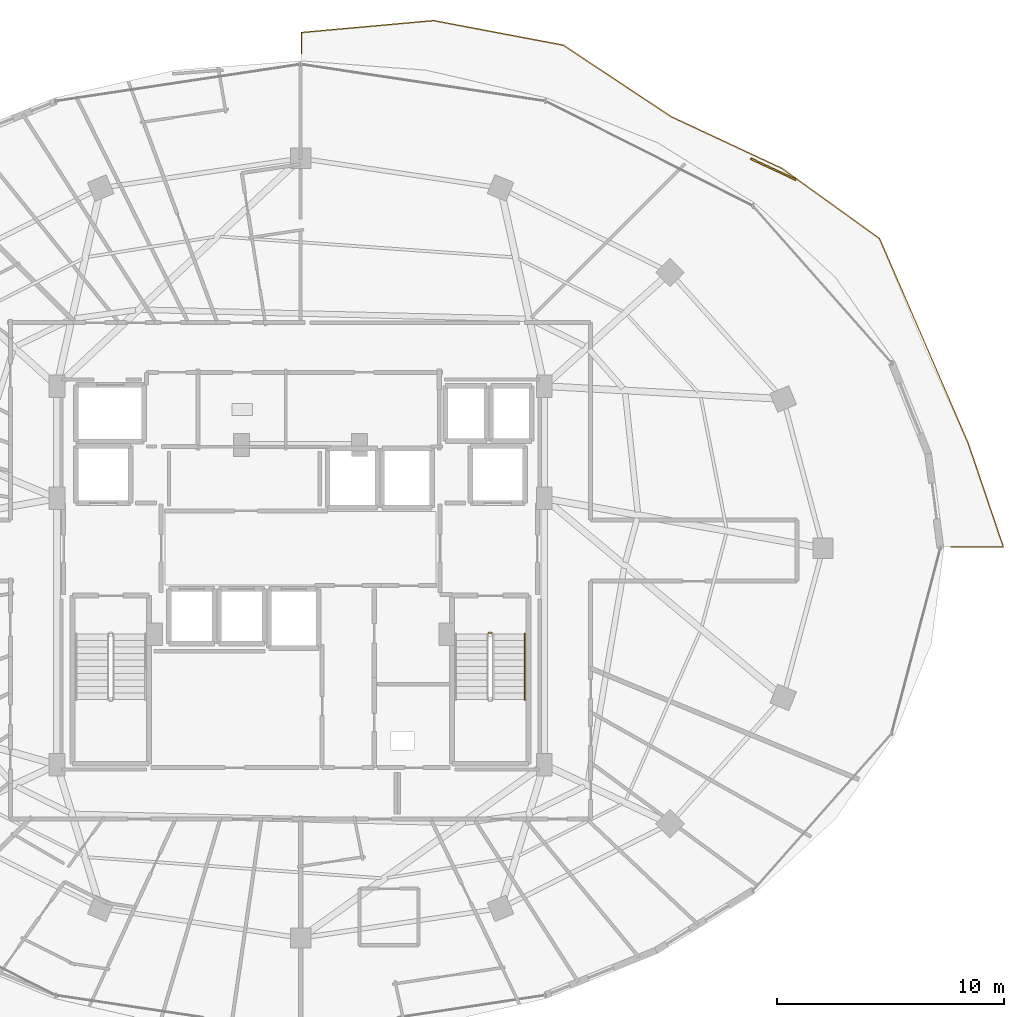
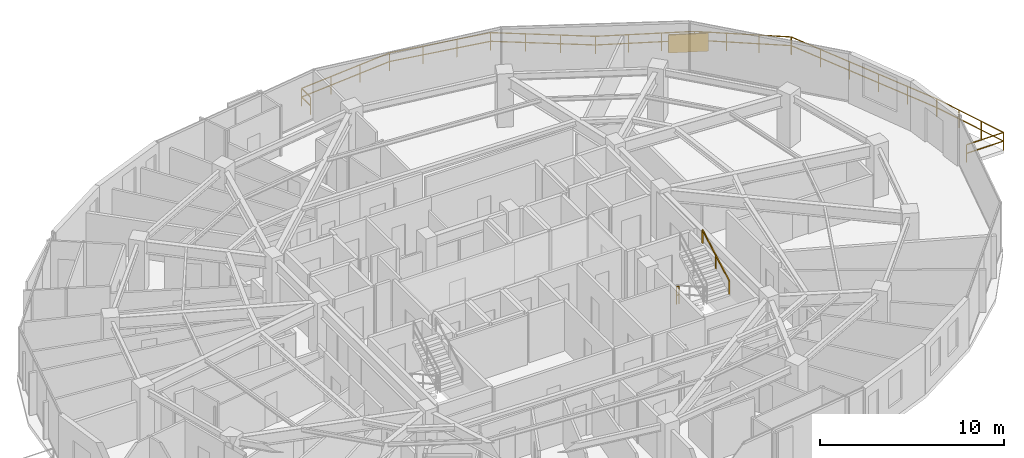
# One storey, part 31 of 32: 4 railings, 1 shading device.
"""IFC4 building model written with IfcOpenShell, lengths in metres."""

import ifcopenshell
import ifcopenshell.guid

model = None  # the IFC model being written
_history = None  # IfcOwnerHistory: only IFC2X3 demands one
_inside = {}  # id of a spatial element -> (the spatial element, [elements in it])
_under = {}  # id of a project, library or spatial element -> (it, [spatial elements below it])
_declared = {}  # id of a project -> (the project, [libraries it declares])
_typed = {}  # id of a type object -> (the type object, [elements of that type])
_made_of = {}  # id of a material, layer set ... -> (it, [elements and type objects made of it])


def new_model(schema):
    """Start an empty IFC model of exactly this schema.

    Asked for "IFC4X3", IfcOpenShell would pick the latest addendum, in which some entities
    have other attributes; the version numbers below select the first issue.
    IFC2X3 requires an IfcOwnerHistory on every rooted entity: one is made here for all.
    """
    global model, _history
    if schema == "IFC4X3":
        model = ifcopenshell.file(schema_version=(4, 3, 0, 0))
    else:
        model = ifcopenshell.file(schema=schema)
    _inside.clear()
    _under.clear()
    _declared.clear()
    _typed.clear()
    _made_of.clear()
    _history = None
    if model.schema == "IFC2X3":
        org = make("IfcOrganization", Name="unknown")
        user = make(
            "IfcPersonAndOrganization",
            ThePerson=make("IfcPerson", FamilyName="unknown"),
            TheOrganization=org,
        )
        app = make(
            "IfcApplication",
            ApplicationDeveloper=org,
            Version="unknown",
            ApplicationFullName="unknown",
            ApplicationIdentifier="unknown",
        )
        _history = make(
            "IfcOwnerHistory",
            OwningUser=user,
            OwningApplication=app,
            ChangeAction="ADDED",
            CreationDate=0,
        )
    return model


def make(cls, **values):
    """One entity of the class cls with the attributes given. An attribute that is None is left unset."""
    return model.create_entity(
        cls, **{name: value for name, value in values.items() if value is not None}
    )


def rooted(cls, **values):
    """An entity with a GlobalId (a new one), such as an element, a storey or a relation."""
    return make(cls, GlobalId=ifcopenshell.guid.new(), OwnerHistory=_history, **values)


def si_unit(unit_type, name, prefix=None):
    """IfcSIUnit, for example si_unit("LENGTHUNIT", "METRE", prefix="MILLI")."""
    return make("IfcSIUnit", UnitType=unit_type, Prefix=prefix, Name=name)


def assignment(units):
    """IfcUnitAssignment: the units of a project."""
    return None if units is None else make("IfcUnitAssignment", Units=units)


def point(xyz):
    """IfcCartesianPoint."""
    return None if xyz is None else make("IfcCartesianPoint", Coordinates=xyz)


def direction(xyz):
    """IfcDirection."""
    return None if xyz is None else make("IfcDirection", DirectionRatios=xyz)


def frame(location, z_axis=None, x_axis=None):
    """IfcAxis2Placement3D, a coordinate frame: its origin and axes. An axis left out is left unset."""
    return make(
        "IfcAxis2Placement3D",
        Location=point(location),
        Axis=direction(z_axis),
        RefDirection=direction(x_axis),
    )


def frame_2d(location, x_axis=None):
    """IfcAxis2Placement2D, a coordinate frame in the plane: its origin and x axis."""
    return make(
        "IfcAxis2Placement2D", Location=point(location), RefDirection=direction(x_axis)
    )


def origin():
    """The frame at (0, 0, 0) with its axes left unset."""
    return frame((0.0, 0.0, 0.0))


def origin_2d():
    """The frame at (0, 0) in the plane with its x axis left unset."""
    return frame_2d((0.0, 0.0))


def place(relative_to, where):
    """IfcLocalPlacement: puts the frame where relative to a parent placement (None: the world)."""
    return make(
        "IfcLocalPlacement", PlacementRelTo=relative_to, RelativePlacement=where
    )


def context(
    kind, dimensions, precision=None, world=None, true_north=None, identifier=None
):
    """IfcGeometricRepresentationContext, for example the 3D "Model" context."""
    return make(
        "IfcGeometricRepresentationContext",
        ContextIdentifier=identifier,
        ContextType=kind,
        CoordinateSpaceDimension=dimensions,
        Precision=precision,
        WorldCoordinateSystem=world,
        TrueNorth=true_north,
    )


def subcontext(parent, identifier, kind, view, scale=None):
    """IfcGeometricRepresentationSubContext, for example "Body" below "Model"."""
    return make(
        "IfcGeometricRepresentationSubContext",
        ContextIdentifier=identifier,
        ContextType=kind,
        ParentContext=parent,
        TargetScale=scale,
        TargetView=view,
    )


def project(units=None, contexts=None):
    """IfcProject with its units and contexts."""
    return rooted(
        "IfcProject",
        Name="project",
        RepresentationContexts=contexts,
        UnitsInContext=assignment(units),
    )


def spatial(cls, under=None, at=None, **own):
    """A site, building, storey or space (cls), placed at a placement, below another one or the project."""
    s = rooted(cls, ObjectPlacement=at, **own)
    if under is not None:
        _under.setdefault(under.id(), (under, []))[1].append(s)
    return s


def profile(cls, at=None, kind="AREA", **sizes):
    """A parametric profile (cls). Its sizes go by their IFC names, for example OverallWidth=200.0."""
    return make(cls, ProfileType=kind, Position=at, **sizes)


def rectangle(**sizes):
    """IfcRectangleProfileDef."""
    return profile("IfcRectangleProfileDef", **sizes)


def extrude(swept, where, along, depth):
    """IfcExtrudedAreaSolid: the profile swept, set in the frame where, extruded along a direction by depth."""
    return make(
        "IfcExtrudedAreaSolid",
        SweptArea=swept,
        Position=where,
        ExtrudedDirection=direction(along),
        Depth=depth,
    )


def shape(context_of_items, identifier, shape_type, items):
    """IfcShapeRepresentation: the items that make up one representation, for example the "Body"."""
    return make(
        "IfcShapeRepresentation",
        ContextOfItems=context_of_items,
        RepresentationIdentifier=identifier,
        RepresentationType=shape_type,
        Items=items,
    )


def material(Name=None, Category=None):
    """IfcMaterial."""
    return make("IfcMaterial", Name=Name, Category=Category)


def made_of(thing, what):
    """Note that an element or type object is made of a material, layer set ...; save() writes the relation."""
    if what is not None:
        _made_of.setdefault(what.id(), (what, []))[1].append(thing)
    return thing


def type_object(cls, material=None, **own):
    """A type object (cls), such as IfcWallType, which elements share."""
    return made_of(rooted(cls, **own), material)


def element(
    cls,
    number,
    at=None,
    inside=None,
    cuts=None,
    type_object=None,
    material=None,
    context=None,
    identifier="Body",
    shape_type=None,
    held_by="IfcProductDefinitionShape",
    body=None,
    shapes=None,
    **own,
):
    """One element of the class cls, such as IfcWall. Its Tag is "e" and its number.

    at: its placement. inside: the storey or other place that contains it. cuts: it is an
    opening in that element (IfcRelVoidsElement). A single representation is given by context,
    identifier, shape_type and body (its items); several are given by shapes. held_by: the class
    of the entity that holds the representations. save() writes the other relations.
    """
    e = rooted(cls, Tag="e%d" % number, ObjectPlacement=at, **own)
    if body is not None:
        shapes = [shape(context, identifier, shape_type, body)]
    if shapes is not None:
        e.Representation = make(held_by, Representations=shapes)
    if inside is not None:
        _inside.setdefault(inside.id(), (inside, []))[1].append(e)
    if cuts is not None:
        rooted(
            "IfcRelVoidsElement", RelatingBuildingElement=cuts, RelatedOpeningElement=e
        )
    if type_object is not None:
        _typed.setdefault(type_object.id(), (type_object, []))[1].append(e)
    return made_of(e, material)


def aggregate(whole, parts):
    """IfcRelAggregates: a whole, such as a stair, and the parts it consists of."""
    return rooted("IfcRelAggregates", RelatingObject=whole, RelatedObjects=parts)


def save(model, path):
    """Write the relations noted so far, then the file.

    IfcRelAggregates (storeys below a building ...), IfcRelContainedInSpatialStructure (elements
    in a storey), IfcRelDefinesByType, IfcRelAssociatesMaterial and IfcRelDeclares: one each for
    every whole, place, type object, material and project.
    """
    for whole, parts in _under.values():
        aggregate(whole, parts)
    for where, things in _inside.values():
        rooted(
            "IfcRelContainedInSpatialStructure",
            RelatedElements=things,
            RelatingStructure=where,
        )
    for kind, things in _typed.values():
        rooted("IfcRelDefinesByType", RelatedObjects=things, RelatingType=kind)
    for what, things in _made_of.values():
        rooted("IfcRelAssociatesMaterial", RelatedObjects=things, RelatingMaterial=what)
    for by, libraries in _declared.values():
        rooted("IfcRelDeclares", RelatingContext=by, RelatedDefinitions=libraries)
    model.write(path)


model = new_model("IFC4")

# Units and contexts
model_context = context("Model", 3, precision=1e-05, world=origin(), true_north=direction((0.0, 1.0)))
body_context = subcontext(model_context, "Body", "Model", "MODEL_VIEW")
ifc_project = project(units=[si_unit("LENGTHUNIT", "METRE"), si_unit("AREAUNIT", "SQUARE_METRE"), si_unit("VOLUMEUNIT", "CUBIC_METRE"), si_unit("PLANEANGLEUNIT", "RADIAN"), si_unit("MASSUNIT", "GRAM", prefix="KILO")], contexts=[model_context])

# Site, building, storey
site_placement = place(None, origin())
site = spatial("IfcSite", under=ifc_project, at=site_placement, CompositionType="ELEMENT")
building_placement = place(site_placement, origin())
building = spatial("IfcBuilding", under=site, at=building_placement, Name="Vorneva Point Tower", CompositionType="ELEMENT")
storey_placement = place(building_placement, frame((0.0, 0.0, 207.199951171875)))
storey = spatial("IfcBuildingStorey", under=building, at=storey_placement, Name="L56", CompositionType="ELEMENT", Elevation=207.199951171875)

# Railings
ifc_material_1 = material(Name="Pale anodised aluminium", Category="aluminium")
railing_type_1 = type_object("IfcRailingType", Name="RL-BAL-1200", PredefinedType="BALUSTRADE", material=ifc_material_1)
railing_1_placement = place(storey_placement, frame((38.050048828125, 48.75439453125, 0.0)))
element("IfcRailing", 1, at=railing_1_placement, inside=storey, type_object=railing_type_1, Name="L56 Wave Balcony Balustrade NE.1", PredefinedType="BALUSTRADE", context=body_context, shape_type="SweptSolid", body=[
    extrude(rectangle(XDim=0.048095703125, YDim=0.048095703125, at=origin_2d()), frame((0.0, 0.0, 1.17578125), z_axis=(0.0, -1.0, 0.0), x_axis=(1.0, 0.0, 0.0)), (0.0, 0.0, 1.0), 0.937255859375),
    extrude(rectangle(XDim=0.048095703125, YDim=0.048095703125, at=origin_2d()), frame((0.0, 0.0, 0.60009765625), z_axis=(0.0, -1.0, 0.0), x_axis=(1.0, 0.0, 0.0)), (0.0, 0.0, 1.0), 0.937255859375),
    extrude(rectangle(XDim=0.0419921875, YDim=0.0419921875, at=origin_2d()), origin(), (0.0, 0.0, 1.0), 1.15185546875),
    extrude(rectangle(XDim=0.0419921875, YDim=0.0419921875, at=origin_2d()), frame((0.0, -0.937255859375, 0.0)), (0.0, 0.0, 1.0), 1.15185546875),
])
railing_2_placement = place(storey_placement, frame((66.6962890625, 26.050048828125, 0.0)))
element("IfcRailing", 2, at=railing_2_placement, inside=storey, type_object=railing_type_1, Name="L56 Wave Balcony Balustrade NE.2", PredefinedType="BALUSTRADE", context=body_context, shape_type="SweptSolid", body=[
    extrude(rectangle(XDim=0.048095703125, YDim=0.048095703125, at=origin_2d()), frame((0.0, 0.0, 1.17578125), z_axis=(1.0, 0.0, 0.0), x_axis=(0.0, 1.0, 0.0)), (0.0, 0.0, 1.0), 2.316650390625),
    extrude(rectangle(XDim=0.048095703125, YDim=0.048095703125, at=origin_2d()), frame((0.0, 0.0, 0.60009765625), z_axis=(1.0, 0.0, 0.0), x_axis=(0.0, 1.0, 0.0)), (0.0, 0.0, 1.0), 2.316650390625),
    extrude(rectangle(XDim=0.048095703125, YDim=0.048095703125, at=origin_2d()), frame((2.316650390625, 0.0, 1.17578125), z_axis=(-0.321336027119, 0.946965235727, 0.0), x_axis=(-0.946965235727, -0.321336027119, 0.0)), (0.0, 0.0, 1.0), 4.82763671875),
    extrude(rectangle(XDim=0.048095703125, YDim=0.048095703125, at=origin_2d()), frame((2.316650390625, 0.0, 0.60009765625), z_axis=(-0.321336027119, 0.946965235727, 0.0), x_axis=(-0.946965235727, -0.321336027119, 0.0)), (0.0, 0.0, 1.0), 4.82763671875),
    extrude(rectangle(XDim=0.048095703125, YDim=0.048095703125, at=origin_2d()), frame((0.765380859375, 4.571533203125, 1.17578125), z_axis=(-0.397549720287, 0.917580634004, 0.0), x_axis=(-0.917580634004, -0.397549720287, 0.0)), (0.0, 0.0, 1.0), 9.852783203125),
    extrude(rectangle(XDim=0.048095703125, YDim=0.048095703125, at=origin_2d()), frame((0.765380859375, 4.571533203125, 0.60009765625), z_axis=(-0.397549720287, 0.917580634004, 0.0), x_axis=(-0.917580634004, -0.397549720287, 0.0)), (0.0, 0.0, 1.0), 9.852783203125),
    extrude(rectangle(XDim=0.048095703125, YDim=0.048095703125, at=origin_2d()), frame((-3.151611328125, 13.6123046875, 1.17578125), z_axis=(-0.81161999727, 0.584185741037, 0.0), x_axis=(-0.584185741037, -0.81161999727, 0.0)), (0.0, 0.0, 1.0), 5.297607421875),
    extrude(rectangle(XDim=0.048095703125, YDim=0.048095703125, at=origin_2d()), frame((-3.151611328125, 13.6123046875, 0.60009765625), z_axis=(-0.81161999727, 0.584185741037, 0.0), x_axis=(-0.584185741037, -0.81161999727, 0.0)), (0.0, 0.0, 1.0), 5.297607421875),
    extrude(rectangle(XDim=0.048095703125, YDim=0.048095703125, at=origin_2d()), frame((-7.451171875, 16.70703125, 1.17578125), z_axis=(-0.906147303007, 0.422962250388, 0.0), x_axis=(-0.422962250388, -0.906147303007, 0.0)), (0.0, 0.0, 1.0), 5.395751953125),
    extrude(rectangle(XDim=0.048095703125, YDim=0.048095703125, at=origin_2d()), frame((-7.451171875, 16.70703125, 0.60009765625), z_axis=(-0.906147303007, 0.422962250388, 0.0), x_axis=(-0.422962250388, -0.906147303007, 0.0)), (0.0, 0.0, 1.0), 5.395751953125),
    extrude(rectangle(XDim=0.048095703125, YDim=0.048095703125, at=origin_2d()), frame((-12.340576171875, 18.9892578125, 1.17578125), z_axis=(-0.833539327293, 0.552460125127, 0.0), x_axis=(-0.552460125127, -0.833539327293, 0.0)), (0.0, 0.0, 1.0), 5.71435546875),
    extrude(rectangle(XDim=0.048095703125, YDim=0.048095703125, at=origin_2d()), frame((-12.340576171875, 18.9892578125, 0.60009765625), z_axis=(-0.833539327293, 0.552460125127, 0.0), x_axis=(-0.552460125127, -0.833539327293, 0.0)), (0.0, 0.0, 1.0), 5.71435546875),
    extrude(rectangle(XDim=0.048095703125, YDim=0.048095703125, at=origin_2d()), frame((-17.103759765625, 22.146240234375, 1.17578125), z_axis=(-0.98255245371, 0.185985686837, 0.0), x_axis=(-0.185985686837, -0.98255245371, 0.0)), (0.0, 0.0, 1.0), 5.826904296875),
    extrude(rectangle(XDim=0.048095703125, YDim=0.048095703125, at=origin_2d()), frame((-17.103759765625, 22.146240234375, 0.60009765625), z_axis=(-0.98255245371, 0.185985686837, 0.0), x_axis=(-0.185985686837, -0.98255245371, 0.0)), (0.0, 0.0, 1.0), 5.826904296875),
    extrude(rectangle(XDim=0.048095703125, YDim=0.048095703125, at=origin_2d()), frame((-22.8291015625, 23.22998046875, 1.17578125), z_axis=(-0.995942395005, -0.089993032125, 0.0), x_axis=(0.089993032125, -0.995942395005, 0.0)), (0.0, 0.0, 1.0), 5.8408203125),
    extrude(rectangle(XDim=0.048095703125, YDim=0.048095703125, at=origin_2d()), frame((-22.8291015625, 23.22998046875, 0.60009765625), z_axis=(-0.995942395005, -0.089993032125, 0.0), x_axis=(0.089993032125, -0.995942395005, 0.0)), (0.0, 0.0, 1.0), 5.8408203125),
    extrude(rectangle(XDim=0.0419921875, YDim=0.0419921875, at=origin_2d()), origin(), (0.0, 0.0, 1.0), 1.15185546875),
    extrude(rectangle(XDim=0.0419921875, YDim=0.0419921875, at=origin_2d()), frame((2.316650390625, 0.0, 0.0)), (0.0, 0.0, 1.0), 1.15185546875),
    extrude(rectangle(XDim=0.0419921875, YDim=0.0419921875, at=origin_2d()), frame((1.799560546875, 1.52392578125, 0.0)), (0.0, 0.0, 1.0), 1.15185546875),
    extrude(rectangle(XDim=0.0419921875, YDim=0.0419921875, at=origin_2d()), frame((1.282470703125, 3.047607421875, 0.0)), (0.0, 0.0, 1.0), 1.15185546875),
    extrude(rectangle(XDim=0.0419921875, YDim=0.0419921875, at=origin_2d()), frame((0.765380859375, 4.571533203125, 0.0)), (0.0, 0.0, 1.0), 1.15185546875),
    extrude(rectangle(XDim=0.0419921875, YDim=0.0419921875, at=origin_2d()), frame((-0.01806640625, 6.379638671875, 0.0)), (0.0, 0.0, 1.0), 1.15185546875),
    extrude(rectangle(XDim=0.0419921875, YDim=0.0419921875, at=origin_2d()), frame((-0.801513671875, 8.187744140625, 0.0)), (0.0, 0.0, 1.0), 1.15185546875),
    extrude(rectangle(XDim=0.0419921875, YDim=0.0419921875, at=origin_2d()), frame((-1.584716796875, 9.99609375, 0.0)), (0.0, 0.0, 1.0), 1.15185546875),
    extrude(rectangle(XDim=0.0419921875, YDim=0.0419921875, at=origin_2d()), frame((-2.3681640625, 11.80419921875, 0.0)), (0.0, 0.0, 1.0), 1.15185546875),
    extrude(rectangle(XDim=0.0419921875, YDim=0.0419921875, at=origin_2d()), frame((-3.151611328125, 13.6123046875, 0.0)), (0.0, 0.0, 1.0), 1.15185546875),
    extrude(rectangle(XDim=0.0419921875, YDim=0.0419921875, at=origin_2d()), frame((-4.584716796875, 14.643798828125, 0.0)), (0.0, 0.0, 1.0), 1.15185546875),
    extrude(rectangle(XDim=0.0419921875, YDim=0.0419921875, at=origin_2d()), frame((-6.01806640625, 15.675537109375, 0.0)), (0.0, 0.0, 1.0), 1.15185546875),
    extrude(rectangle(XDim=0.0419921875, YDim=0.0419921875, at=origin_2d()), frame((-7.451171875, 16.70703125, 0.0)), (0.0, 0.0, 1.0), 1.15185546875),
    extrude(rectangle(XDim=0.0419921875, YDim=0.0419921875, at=origin_2d()), frame((-9.0810546875, 17.4677734375, 0.0)), (0.0, 0.0, 1.0), 1.15185546875),
    extrude(rectangle(XDim=0.0419921875, YDim=0.0419921875, at=origin_2d()), frame((-10.710693359375, 18.228515625, 0.0)), (0.0, 0.0, 1.0), 1.15185546875),
    extrude(rectangle(XDim=0.0419921875, YDim=0.0419921875, at=origin_2d()), frame((-12.340576171875, 18.9892578125, 0.0)), (0.0, 0.0, 1.0), 1.15185546875),
    extrude(rectangle(XDim=0.0419921875, YDim=0.0419921875, at=origin_2d()), frame((-13.92822265625, 20.04150390625, 0.0)), (0.0, 0.0, 1.0), 1.15185546875),
    extrude(rectangle(XDim=0.0419921875, YDim=0.0419921875, at=origin_2d()), frame((-15.51611328125, 21.093994140625, 0.0)), (0.0, 0.0, 1.0), 1.15185546875),
    extrude(rectangle(XDim=0.0419921875, YDim=0.0419921875, at=origin_2d()), frame((-17.103759765625, 22.146240234375, 0.0)), (0.0, 0.0, 1.0), 1.15185546875),
    extrude(rectangle(XDim=0.0419921875, YDim=0.0419921875, at=origin_2d()), frame((-19.01220703125, 22.507568359375, 0.0)), (0.0, 0.0, 1.0), 1.15185546875),
    extrude(rectangle(XDim=0.0419921875, YDim=0.0419921875, at=origin_2d()), frame((-20.920654296875, 22.86865234375, 0.0)), (0.0, 0.0, 1.0), 1.15185546875),
    extrude(rectangle(XDim=0.0419921875, YDim=0.0419921875, at=origin_2d()), frame((-22.8291015625, 23.22998046875, 0.0)), (0.0, 0.0, 1.0), 1.15185546875),
    extrude(rectangle(XDim=0.0419921875, YDim=0.0419921875, at=origin_2d()), frame((-24.76806640625, 23.0546875, 0.0)), (0.0, 0.0, 1.0), 1.15185546875),
    extrude(rectangle(XDim=0.0419921875, YDim=0.0419921875, at=origin_2d()), frame((-26.707275390625, 22.879638671875, 0.0)), (0.0, 0.0, 1.0), 1.15185546875),
    extrude(rectangle(XDim=0.0419921875, YDim=0.0419921875, at=origin_2d()), frame((-28.646240234375, 22.704345703125, 0.0)), (0.0, 0.0, 1.0), 1.15185546875),
])
ifc_material_2 = material(Name="Brushed stainless steel S304", Category="steel")
railing_type_2 = type_object("IfcRailingType", Name="RL-HND-920", PredefinedType="HANDRAIL", material=ifc_material_2)
railing_3_placement = place(storey_placement, frame((47.89990234375, 19.320068359375, 1.9365234375)))
element("IfcRailing", 3, at=railing_3_placement, inside=storey, type_object=railing_type_2, Name="L56 ST2 stair handrail 2", PredefinedType="HANDRAIL", context=body_context, shape_type="SweptSolid", body=[
    extrude(rectangle(XDim=0.048095703125, YDim=0.048095703125, at=origin_2d()), frame((0.0, 0.0, 0.8759765625), z_axis=(0.0, 0.873841303929, 0.486211245805), x_axis=(-1.0, 0.0, 0.0)), (0.0, 0.0, 1.0), 3.318603515625),
    extrude(rectangle(XDim=0.0419921875, YDim=0.0419921875, at=origin_2d()), origin(), (0.0, 0.0, 1.0), 0.851806640625),
    extrude(rectangle(XDim=0.0419921875, YDim=0.0419921875, at=origin_2d()), frame((0.0, 1.449951171875, 0.806640625)), (0.0, 0.0, 1.0), 0.851806640625),
    extrude(rectangle(XDim=0.0419921875, YDim=0.0419921875, at=origin_2d()), frame((0.0, 2.89990234375, 1.613525390625)), (0.0, 0.0, 1.0), 0.851806640625),
])
railing_type_3 = type_object("IfcRailingType", Name="RL-STG-1100", PredefinedType="GUARDRAIL", material=ifc_material_2)
railing_4_placement = place(storey_placement, frame((46.300048828125, 22.27001953125, 0.0)))
element("IfcRailing", 4, at=railing_4_placement, inside=storey, type_object=railing_type_3, Name="L56 ST2 stair guard 4", PredefinedType="GUARDRAIL", context=body_context, shape_type="SweptSolid", body=[
    extrude(rectangle(XDim=0.048095703125, YDim=0.048095703125, at=origin_2d()), frame((0.0, 0.0, 1.17578125), z_axis=(1.0, 0.0, 0.0), x_axis=(0.0, 1.0, 0.0)), (0.0, 0.0, 1.0), 0.14990234375),
    extrude(rectangle(XDim=0.048095703125, YDim=0.048095703125, at=origin_2d()), frame((0.0, 0.0, 0.60009765625), z_axis=(1.0, 0.0, 0.0), x_axis=(0.0, 1.0, 0.0)), (0.0, 0.0, 1.0), 0.14990234375),
    extrude(rectangle(XDim=0.0419921875, YDim=0.0419921875, at=origin_2d()), origin(), (0.0, 0.0, 1.0), 1.15185546875),
    extrude(rectangle(XDim=0.0419921875, YDim=0.0419921875, at=origin_2d()), frame((0.14990234375, 0.0, 0.0)), (0.0, 0.0, 1.0), 1.15185546875),
])

# Shading device
shading_device_type = type_object("IfcShadingDeviceType", Name="SHD-JAL-1200", PredefinedType="JALOUSIE", material=ifc_material_1)
shading_device_placement = place(storey_placement, frame((58.855224609375, 42.721435546875, -0.02001953125), z_axis=(0.0, 0.0, 1.0), x_axis=(-0.906145446467, 0.422966227786, 0.0)))
element("IfcShadingDevice", 5, at=shading_device_placement, inside=storey, type_object=shading_device_type, Name="L56 Balcony Vertical-Greenery Planter Screen NE.2", PredefinedType="JALOUSIE", context=body_context, shape_type="SweptSolid", body=[
    extrude(rectangle(XDim=2.199951171875, YDim=0.080078125, at=origin_2d()), origin(), (0.0, 0.0, 1.0), 1.199951171875),
])

save(model, "model.ifc")
